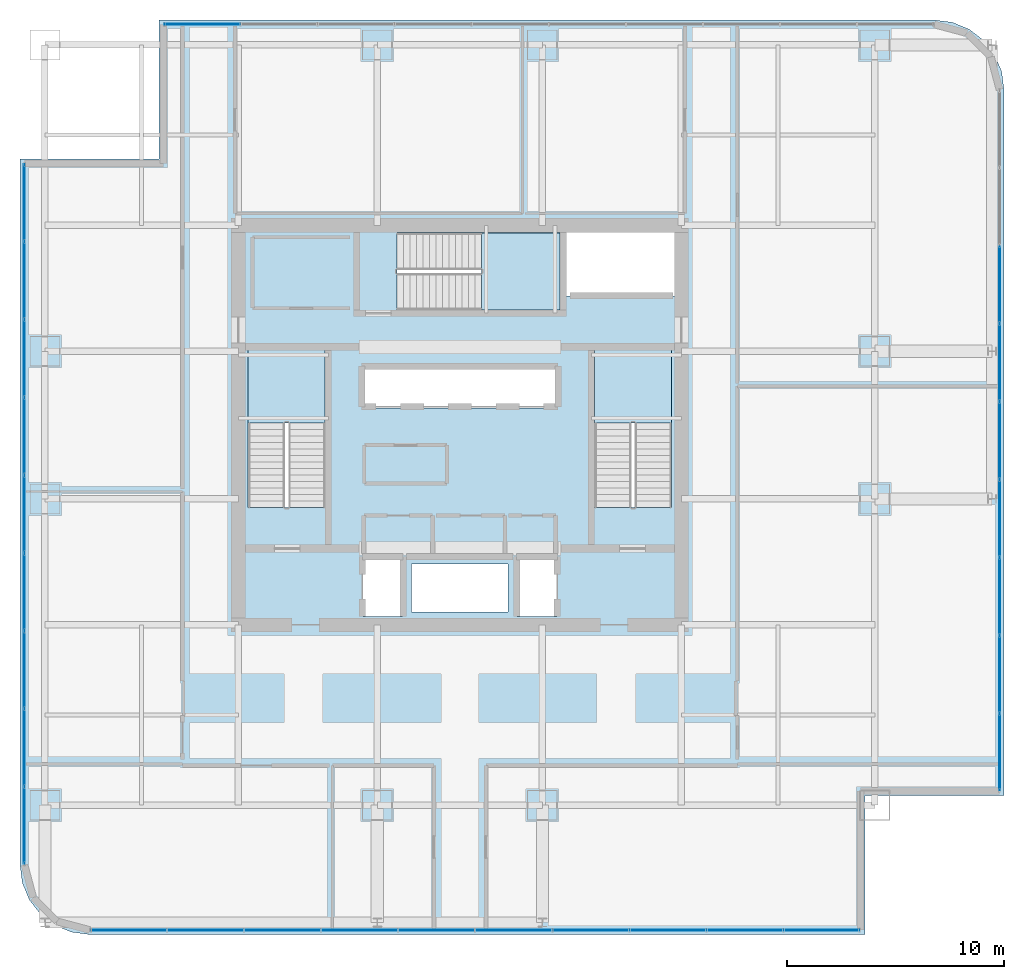
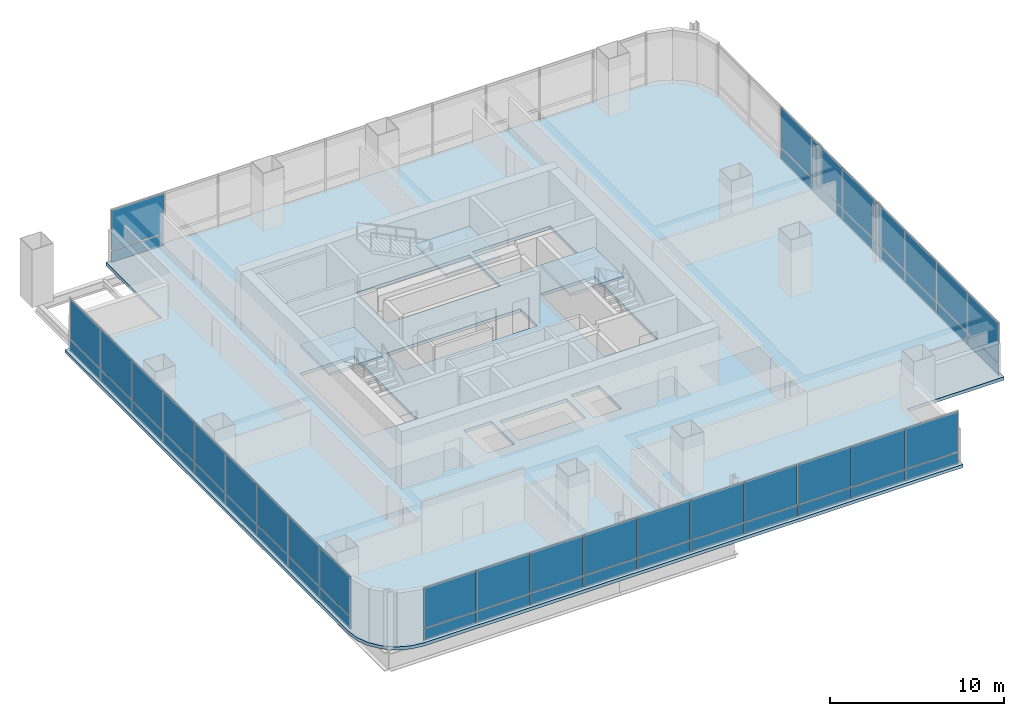
# One storey, part 28 of 35: 54 plates, 4 slabs, 7 elements without a shape of their own.
"""IFC4 building model written with IfcOpenShell, lengths in metres."""

from ifc_helpers import new_model, si_unit, direction, frame, origin, origin_2d, place, context, subcontext, project, spatial, polyline, rectangle, outline, extrude, material, layer, layer_set, type_object, element, aggregate, save


model = new_model("IFC4")

# Units and contexts
model_context = context("Model", 3, precision=1e-05, world=origin(), true_north=direction((0.0, 1.0)))
body_context = subcontext(model_context, "Body", "Model", "MODEL_VIEW")
ifc_project = project(units=[si_unit("LENGTHUNIT", "METRE"), si_unit("AREAUNIT", "SQUARE_METRE"), si_unit("VOLUMEUNIT", "CUBIC_METRE"), si_unit("PLANEANGLEUNIT", "RADIAN"), si_unit("MASSUNIT", "GRAM", prefix="KILO")], contexts=[model_context])

# Site, building, storey
site_placement = place(None, origin())
site = spatial("IfcSite", under=ifc_project, at=site_placement, CompositionType="ELEMENT")
building_placement = place(site_placement, origin())
building = spatial("IfcBuilding", under=site, at=building_placement, Name="Punatoya Terracotta Tower", CompositionType="ELEMENT")
storey_placement = place(building_placement, frame((0.0, 0.0, 232.949951171875)))
storey = spatial("IfcBuildingStorey", under=building, at=storey_placement, Name="L55", CompositionType="ELEMENT", Elevation=232.949951171875)

# Curtain wall, plates
ifc_material_1 = material(Name="Aluminium 6063-T6 + Double Low-E Glass", Category="aluminium")
curtain_wall_type = type_object("IfcCurtainWallType", Name="CW-M2", PredefinedType="NOTDEFINED", material=ifc_material_1)
curtain_wall_1_placement = place(storey_placement, origin())
curtain_wall_1 = element("IfcCurtainWall", 1, at=curtain_wall_1_placement, inside=storey, type_object=curtain_wall_type, Name="L55 Curtain Wall CW-L55-S01-1", PredefinedType="NOTDEFINED")
ifc_material_2 = material(Name="Double Low-E Acoustic Vision Glass", Category="glass")
ifc_layer_1 = layer(ifc_material_2, 0.031982421875)
ifc_layer_set_1 = layer_set([ifc_layer_1], Name="Double Low-E Acoustic Vision Glass")
plate_type_1 = type_object("IfcPlateType", Name="PLT-GLZ-32", PredefinedType="CURTAIN_PANEL", material=ifc_layer_set_1)
plate_1_placement = place(storey_placement, frame((-15.2626953125, -23.25, 0.89013671875), z_axis=(0.0, 0.0, 1.0), x_axis=(1.0, 0.0, 0.0)))
plate_1 = element("IfcPlate", 2, at=plate_1_placement, type_object=plate_type_1, Name="CW-L55-S01-1 Vision Glass Panel 1", PredefinedType="CURTAIN_PANEL", context=body_context, shape_type="SweptSolid", body=[
    extrude(rectangle(XDim=3.463623046875, YDim=0.031982421875, at=origin_2d()), origin(), (0.0, 0.0, 1.0), 2.800048828125),
])
plate_2_placement = place(storey_placement, frame((-11.7138671875, -23.25, 0.89013671875), z_axis=(0.0, 0.0, 1.0), x_axis=(1.0, 0.0, 0.0)))
plate_2 = element("IfcPlate", 3, at=plate_2_placement, type_object=plate_type_1, Name="CW-L55-S01-1 Vision Glass Panel 2", PredefinedType="CURTAIN_PANEL", context=body_context, shape_type="SweptSolid", body=[
    extrude(rectangle(XDim=3.463623046875, YDim=0.031982421875, at=origin_2d()), origin(), (0.0, 0.0, 1.0), 2.800048828125),
])
plate_3_placement = place(storey_placement, frame((-8.165283203125, -23.25, 0.89013671875), z_axis=(0.0, 0.0, 1.0), x_axis=(1.0, 0.0, 0.0)))
plate_3 = element("IfcPlate", 4, at=plate_3_placement, type_object=plate_type_1, Name="CW-L55-S01-1 Vision Glass Panel 3", PredefinedType="CURTAIN_PANEL", context=body_context, shape_type="SweptSolid", body=[
    extrude(rectangle(XDim=3.463623046875, YDim=0.031982421875, at=origin_2d()), origin(), (0.0, 0.0, 1.0), 2.800048828125),
])
plate_4_placement = place(storey_placement, frame((-4.616455078125, -23.25, 0.89013671875), z_axis=(0.0, 0.0, 1.0), x_axis=(1.0, 0.0, 0.0)))
plate_4 = element("IfcPlate", 5, at=plate_4_placement, type_object=plate_type_1, Name="CW-L55-S01-1 Vision Glass Panel 4", PredefinedType="CURTAIN_PANEL", context=body_context, shape_type="SweptSolid", body=[
    extrude(rectangle(XDim=3.463623046875, YDim=0.031982421875, at=origin_2d()), origin(), (0.0, 0.0, 1.0), 2.800048828125),
])
plate_5_placement = place(storey_placement, frame((-1.06787109375, -23.25, 0.89013671875), z_axis=(0.0, 0.0, 1.0), x_axis=(1.0, 0.0, 0.0)))
plate_5 = element("IfcPlate", 6, at=plate_5_placement, type_object=plate_type_1, Name="CW-L55-S01-1 Vision Glass Panel 5", PredefinedType="CURTAIN_PANEL", context=body_context, shape_type="SweptSolid", body=[
    extrude(rectangle(XDim=3.463623046875, YDim=0.031982421875, at=origin_2d()), origin(), (0.0, 0.0, 1.0), 2.800048828125),
])
plate_6_placement = place(storey_placement, frame((2.48095703125, -23.25, 0.89013671875), z_axis=(0.0, 0.0, 1.0), x_axis=(1.0, 0.0, 0.0)))
plate_6 = element("IfcPlate", 7, at=plate_6_placement, type_object=plate_type_1, Name="CW-L55-S01-1 Vision Glass Panel 6", PredefinedType="CURTAIN_PANEL", context=body_context, shape_type="SweptSolid", body=[
    extrude(rectangle(XDim=3.463623046875, YDim=0.031982421875, at=origin_2d()), origin(), (0.0, 0.0, 1.0), 2.800048828125),
])
plate_7_placement = place(storey_placement, frame((6.029541015625, -23.25, 0.89013671875), z_axis=(0.0, 0.0, 1.0), x_axis=(1.0, 0.0, 0.0)))
plate_7 = element("IfcPlate", 8, at=plate_7_placement, type_object=plate_type_1, Name="CW-L55-S01-1 Vision Glass Panel 7", PredefinedType="CURTAIN_PANEL", context=body_context, shape_type="SweptSolid", body=[
    extrude(rectangle(XDim=3.463623046875, YDim=0.031982421875, at=origin_2d()), origin(), (0.0, 0.0, 1.0), 2.800048828125),
])
plate_8_placement = place(storey_placement, frame((9.578369140625, -23.25, 0.89013671875), z_axis=(0.0, 0.0, 1.0), x_axis=(1.0, 0.0, 0.0)))
plate_8 = element("IfcPlate", 9, at=plate_8_placement, type_object=plate_type_1, Name="CW-L55-S01-1 Vision Glass Panel 8", PredefinedType="CURTAIN_PANEL", context=body_context, shape_type="SweptSolid", body=[
    extrude(rectangle(XDim=3.463623046875, YDim=0.031982421875, at=origin_2d()), origin(), (0.0, 0.0, 1.0), 2.800048828125),
])
plate_9_placement = place(storey_placement, frame((13.126953125, -23.25, 0.89013671875), z_axis=(0.0, 0.0, 1.0), x_axis=(1.0, 0.0, 0.0)))
plate_9 = element("IfcPlate", 10, at=plate_9_placement, type_object=plate_type_1, Name="CW-L55-S01-1 Vision Glass Panel 9", PredefinedType="CURTAIN_PANEL", context=body_context, shape_type="SweptSolid", body=[
    extrude(rectangle(XDim=3.463623046875, YDim=0.031982421875, at=origin_2d()), origin(), (0.0, 0.0, 1.0), 2.800048828125),
])
plate_10_placement = place(storey_placement, frame((16.67578125, -23.25, 0.89013671875), z_axis=(0.0, 0.0, 1.0), x_axis=(1.0, 0.0, 0.0)))
plate_10 = element("IfcPlate", 11, at=plate_10_placement, type_object=plate_type_1, Name="CW-L55-S01-1 Vision Glass Panel 10", PredefinedType="CURTAIN_PANEL", context=body_context, shape_type="SweptSolid", body=[
    extrude(rectangle(XDim=3.463623046875, YDim=0.031982421875, at=origin_2d()), origin(), (0.0, 0.0, 1.0), 2.800048828125),
])

curtain_wall_2_placement = place(storey_placement, origin())
curtain_wall_2 = element("IfcCurtainWall", 12, at=curtain_wall_2_placement, inside=storey, type_object=curtain_wall_type, Name="L55 Curtain Wall CW-L55-E04-1", PredefinedType="NOTDEFINED")
plate_11_placement = place(storey_placement, frame((24.85009765625, -15.056396484375, 0.89013671875), z_axis=(0.0, 0.0, 1.0), x_axis=(0.0, 1.0, 0.0)))
plate_11 = element("IfcPlate", 13, at=plate_11_placement, type_object=plate_type_1, Name="CW-L55-E04-1 Vision Glass Panel 1", PredefinedType="CURTAIN_PANEL", context=body_context, shape_type="SweptSolid", body=[
    extrude(rectangle(XDim=3.50244140625, YDim=0.031982421875, at=origin_2d()), origin(), (0.0, 0.0, 1.0), 2.800048828125),
])
plate_12_placement = place(storey_placement, frame((24.85009765625, -11.468994140625, 0.89013671875), z_axis=(0.0, 0.0, 1.0), x_axis=(0.0, 1.0, 0.0)))
plate_12 = element("IfcPlate", 14, at=plate_12_placement, type_object=plate_type_1, Name="CW-L55-E04-1 Vision Glass Panel 2", PredefinedType="CURTAIN_PANEL", context=body_context, shape_type="SweptSolid", body=[
    extrude(rectangle(XDim=3.50244140625, YDim=0.031982421875, at=origin_2d()), origin(), (0.0, 0.0, 1.0), 2.800048828125),
])
plate_13_placement = place(storey_placement, frame((24.85009765625, -7.88134765625, 0.89013671875), z_axis=(0.0, 0.0, 1.0), x_axis=(0.0, 1.0, 0.0)))
plate_13 = element("IfcPlate", 15, at=plate_13_placement, type_object=plate_type_1, Name="CW-L55-E04-1 Vision Glass Panel 3", PredefinedType="CURTAIN_PANEL", context=body_context, shape_type="SweptSolid", body=[
    extrude(rectangle(XDim=3.50244140625, YDim=0.031982421875, at=origin_2d()), origin(), (0.0, 0.0, 1.0), 2.800048828125),
])
plate_14_placement = place(storey_placement, frame((24.85009765625, -4.2939453125, 0.89013671875), z_axis=(0.0, 0.0, 1.0), x_axis=(0.0, 1.0, 0.0)))
plate_14 = element("IfcPlate", 16, at=plate_14_placement, type_object=plate_type_1, Name="CW-L55-E04-1 Vision Glass Panel 4", PredefinedType="CURTAIN_PANEL", context=body_context, shape_type="SweptSolid", body=[
    extrude(rectangle(XDim=3.50244140625, YDim=0.031982421875, at=origin_2d()), origin(), (0.0, 0.0, 1.0), 2.800048828125),
])
plate_15_placement = place(storey_placement, frame((24.85009765625, -0.70654296875, 0.89013671875), z_axis=(0.0, 0.0, 1.0), x_axis=(0.0, 1.0, 0.0)))
plate_15 = element("IfcPlate", 17, at=plate_15_placement, type_object=plate_type_1, Name="CW-L55-E04-1 Vision Glass Panel 5", PredefinedType="CURTAIN_PANEL", context=body_context, shape_type="SweptSolid", body=[
    extrude(rectangle(XDim=3.50244140625, YDim=0.031982421875, at=origin_2d()), origin(), (0.0, 0.0, 1.0), 2.800048828125),
])
plate_16_placement = place(storey_placement, frame((24.85009765625, 2.880859375, 0.89013671875), z_axis=(0.0, 0.0, 1.0), x_axis=(0.0, 1.0, 0.0)))
plate_16 = element("IfcPlate", 18, at=plate_16_placement, type_object=plate_type_1, Name="CW-L55-E04-1 Vision Glass Panel 6", PredefinedType="CURTAIN_PANEL", context=body_context, shape_type="SweptSolid", body=[
    extrude(rectangle(XDim=3.50244140625, YDim=0.031982421875, at=origin_2d()), origin(), (0.0, 0.0, 1.0), 2.800048828125),
])
plate_17_placement = place(storey_placement, frame((24.85009765625, 6.46826171875, 0.89013671875), z_axis=(0.0, 0.0, 1.0), x_axis=(0.0, 1.0, 0.0)))
plate_17 = element("IfcPlate", 19, at=plate_17_placement, type_object=plate_type_1, Name="CW-L55-E04-1 Vision Glass Panel 7", PredefinedType="CURTAIN_PANEL", context=body_context, shape_type="SweptSolid", body=[
    extrude(rectangle(XDim=3.50244140625, YDim=0.031982421875, at=origin_2d()), origin(), (0.0, 0.0, 1.0), 2.800048828125),
])

# Curtain wall, plate
curtain_wall_3_placement = place(storey_placement, origin())
curtain_wall_3 = element("IfcCurtainWall", 20, at=curtain_wall_3_placement, inside=storey, type_object=curtain_wall_type, Name="L55 Curtain Wall CW-L55-N08-1", PredefinedType="NOTDEFINED")
plate_18_placement = place(storey_placement, frame((-11.875732421875, 18.449951171875, 0.89013671875), z_axis=(0.0, 0.0, 1.0), x_axis=(-1.0, 0.0, 0.0)))
plate_18 = element("IfcPlate", 21, at=plate_18_placement, type_object=plate_type_1, Name="CW-L55-N08-1 Vision Glass Panel 10", PredefinedType="CURTAIN_PANEL", context=body_context, shape_type="SweptSolid", body=[
    extrude(rectangle(XDim=3.463623046875, YDim=0.031982421875, at=origin_2d()), origin(), (0.0, 0.0, 1.0), 2.800048828125),
])

# Curtain wall, plates
curtain_wall_4_placement = place(storey_placement, origin())
curtain_wall_4 = element("IfcCurtainWall", 22, at=curtain_wall_4_placement, inside=storey, type_object=curtain_wall_type, Name="L55 Curtain Wall CW-L55-W11-1", PredefinedType="NOTDEFINED")
plate_19_placement = place(storey_placement, frame((-20.050048828125, 10.25634765625, 0.89013671875), z_axis=(0.0, 0.0, 1.0), x_axis=(0.0, -1.0, 0.0)))
plate_19 = element("IfcPlate", 23, at=plate_19_placement, type_object=plate_type_1, Name="CW-L55-W11-1 Vision Glass Panel 1", PredefinedType="CURTAIN_PANEL", context=body_context, shape_type="SweptSolid", body=[
    extrude(rectangle(XDim=3.50244140625, YDim=0.031982421875, at=origin_2d()), origin(), (0.0, 0.0, 1.0), 2.800048828125),
])
plate_20_placement = place(storey_placement, frame((-20.050048828125, 6.6689453125, 0.89013671875), z_axis=(0.0, 0.0, 1.0), x_axis=(0.0, -1.0, 0.0)))
plate_20 = element("IfcPlate", 24, at=plate_20_placement, type_object=plate_type_1, Name="CW-L55-W11-1 Vision Glass Panel 2", PredefinedType="CURTAIN_PANEL", context=body_context, shape_type="SweptSolid", body=[
    extrude(rectangle(XDim=3.50244140625, YDim=0.031982421875, at=origin_2d()), origin(), (0.0, 0.0, 1.0), 2.800048828125),
])
plate_21_placement = place(storey_placement, frame((-20.050048828125, 3.081298828125, 0.89013671875), z_axis=(0.0, 0.0, 1.0), x_axis=(0.0, -1.0, 0.0)))
plate_21 = element("IfcPlate", 25, at=plate_21_placement, type_object=plate_type_1, Name="CW-L55-W11-1 Vision Glass Panel 3", PredefinedType="CURTAIN_PANEL", context=body_context, shape_type="SweptSolid", body=[
    extrude(rectangle(XDim=3.50244140625, YDim=0.031982421875, at=origin_2d()), origin(), (0.0, 0.0, 1.0), 2.800048828125),
])
plate_22_placement = place(storey_placement, frame((-20.050048828125, -0.506103515625, 0.89013671875), z_axis=(0.0, 0.0, 1.0), x_axis=(0.0, -1.0, 0.0)))
plate_22 = element("IfcPlate", 26, at=plate_22_placement, type_object=plate_type_1, Name="CW-L55-W11-1 Vision Glass Panel 4", PredefinedType="CURTAIN_PANEL", context=body_context, shape_type="SweptSolid", body=[
    extrude(rectangle(XDim=3.50244140625, YDim=0.031982421875, at=origin_2d()), origin(), (0.0, 0.0, 1.0), 2.800048828125),
])
plate_23_placement = place(storey_placement, frame((-20.050048828125, -4.093505859375, 0.89013671875), z_axis=(0.0, 0.0, 1.0), x_axis=(0.0, -1.0, 0.0)))
plate_23 = element("IfcPlate", 27, at=plate_23_placement, type_object=plate_type_1, Name="CW-L55-W11-1 Vision Glass Panel 5", PredefinedType="CURTAIN_PANEL", context=body_context, shape_type="SweptSolid", body=[
    extrude(rectangle(XDim=3.50244140625, YDim=0.031982421875, at=origin_2d()), origin(), (0.0, 0.0, 1.0), 2.800048828125),
])
plate_24_placement = place(storey_placement, frame((-20.050048828125, -7.680908203125, 0.89013671875), z_axis=(0.0, 0.0, 1.0), x_axis=(0.0, -1.0, 0.0)))
plate_24 = element("IfcPlate", 28, at=plate_24_placement, type_object=plate_type_1, Name="CW-L55-W11-1 Vision Glass Panel 6", PredefinedType="CURTAIN_PANEL", context=body_context, shape_type="SweptSolid", body=[
    extrude(rectangle(XDim=3.50244140625, YDim=0.031982421875, at=origin_2d()), origin(), (0.0, 0.0, 1.0), 2.800048828125),
])
plate_25_placement = place(storey_placement, frame((-20.050048828125, -11.268310546875, 0.89013671875), z_axis=(0.0, 0.0, 1.0), x_axis=(0.0, -1.0, 0.0)))
plate_25 = element("IfcPlate", 29, at=plate_25_placement, type_object=plate_type_1, Name="CW-L55-W11-1 Vision Glass Panel 7", PredefinedType="CURTAIN_PANEL", context=body_context, shape_type="SweptSolid", body=[
    extrude(rectangle(XDim=3.50244140625, YDim=0.031982421875, at=origin_2d()), origin(), (0.0, 0.0, 1.0), 2.800048828125),
])
plate_26_placement = place(storey_placement, frame((-20.050048828125, -14.855712890625, 0.89013671875), z_axis=(0.0, 0.0, 1.0), x_axis=(0.0, -1.0, 0.0)))
plate_26 = element("IfcPlate", 30, at=plate_26_placement, type_object=plate_type_1, Name="CW-L55-W11-1 Vision Glass Panel 8", PredefinedType="CURTAIN_PANEL", context=body_context, shape_type="SweptSolid", body=[
    extrude(rectangle(XDim=3.50244140625, YDim=0.031982421875, at=origin_2d()), origin(), (0.0, 0.0, 1.0), 2.800048828125),
])
plate_27_placement = place(storey_placement, frame((-20.050048828125, -18.443115234375, 0.89013671875), z_axis=(0.0, 0.0, 1.0), x_axis=(0.0, -1.0, 0.0)))
plate_27 = element("IfcPlate", 31, at=plate_27_placement, type_object=plate_type_1, Name="CW-L55-W11-1 Vision Glass Panel 9", PredefinedType="CURTAIN_PANEL", context=body_context, shape_type="SweptSolid", body=[
    extrude(rectangle(XDim=3.50244140625, YDim=0.031982421875, at=origin_2d()), origin(), (0.0, 0.0, 1.0), 2.800048828125),
])

# Plate
ifc_material_3 = material(Name="Insulated Terracotta-Backed Spandrel Panel", Category="masonry")
ifc_layer_2 = layer(ifc_material_3, 0.044921875)
ifc_layer_set_2 = layer_set([ifc_layer_2], Name="Insulated Terracotta-Backed Spandrel Panel")
plate_type_2 = type_object("IfcPlateType", Name="PLT-SPN-45", PredefinedType="CURTAIN_PANEL", material=ifc_layer_set_2)
plate_28_placement = place(storey_placement, frame((-15.2626953125, -23.25, 0.0400390625), z_axis=(0.0, 0.0, 1.0), x_axis=(1.0, 0.0, 0.0)))
plate_28 = element("IfcPlate", 32, at=plate_28_placement, type_object=plate_type_2, Name="CW-L55-S01-1 Terracotta Spandrel Panel 1", PredefinedType="CURTAIN_PANEL", context=body_context, shape_type="SweptSolid", body=[
    extrude(rectangle(XDim=3.463623046875, YDim=0.044921875, at=origin_2d()), origin(), (0.0, 0.0, 1.0), 0.77490234375),
])

plate_29_placement = place(storey_placement, frame((-11.7138671875, -23.25, 0.0400390625), z_axis=(0.0, 0.0, 1.0), x_axis=(1.0, 0.0, 0.0)))
plate_29 = element("IfcPlate", 33, at=plate_29_placement, type_object=plate_type_2, Name="CW-L55-S01-1 Terracotta Spandrel Panel 2", PredefinedType="CURTAIN_PANEL", context=body_context, shape_type="SweptSolid", body=[
    extrude(rectangle(XDim=3.463623046875, YDim=0.044921875, at=origin_2d()), origin(), (0.0, 0.0, 1.0), 0.77490234375),
])

plate_30_placement = place(storey_placement, frame((-8.165283203125, -23.25, 0.0400390625), z_axis=(0.0, 0.0, 1.0), x_axis=(1.0, 0.0, 0.0)))
plate_30 = element("IfcPlate", 34, at=plate_30_placement, type_object=plate_type_2, Name="CW-L55-S01-1 Terracotta Spandrel Panel 3", PredefinedType="CURTAIN_PANEL", context=body_context, shape_type="SweptSolid", body=[
    extrude(rectangle(XDim=3.463623046875, YDim=0.044921875, at=origin_2d()), origin(), (0.0, 0.0, 1.0), 0.77490234375),
])

plate_31_placement = place(storey_placement, frame((-4.616455078125, -23.25, 0.0400390625), z_axis=(0.0, 0.0, 1.0), x_axis=(1.0, 0.0, 0.0)))
plate_31 = element("IfcPlate", 35, at=plate_31_placement, type_object=plate_type_2, Name="CW-L55-S01-1 Terracotta Spandrel Panel 4", PredefinedType="CURTAIN_PANEL", context=body_context, shape_type="SweptSolid", body=[
    extrude(rectangle(XDim=3.463623046875, YDim=0.044921875, at=origin_2d()), origin(), (0.0, 0.0, 1.0), 0.77490234375),
])

plate_32_placement = place(storey_placement, frame((-1.06787109375, -23.25, 0.0400390625), z_axis=(0.0, 0.0, 1.0), x_axis=(1.0, 0.0, 0.0)))
plate_32 = element("IfcPlate", 36, at=plate_32_placement, type_object=plate_type_2, Name="CW-L55-S01-1 Terracotta Spandrel Panel 5", PredefinedType="CURTAIN_PANEL", context=body_context, shape_type="SweptSolid", body=[
    extrude(rectangle(XDim=3.463623046875, YDim=0.044921875, at=origin_2d()), origin(), (0.0, 0.0, 1.0), 0.77490234375),
])

plate_33_placement = place(storey_placement, frame((2.48095703125, -23.25, 0.0400390625), z_axis=(0.0, 0.0, 1.0), x_axis=(1.0, 0.0, 0.0)))
plate_33 = element("IfcPlate", 37, at=plate_33_placement, type_object=plate_type_2, Name="CW-L55-S01-1 Terracotta Spandrel Panel 6", PredefinedType="CURTAIN_PANEL", context=body_context, shape_type="SweptSolid", body=[
    extrude(rectangle(XDim=3.463623046875, YDim=0.044921875, at=origin_2d()), origin(), (0.0, 0.0, 1.0), 0.77490234375),
])

plate_34_placement = place(storey_placement, frame((6.029541015625, -23.25, 0.0400390625), z_axis=(0.0, 0.0, 1.0), x_axis=(1.0, 0.0, 0.0)))
plate_34 = element("IfcPlate", 38, at=plate_34_placement, type_object=plate_type_2, Name="CW-L55-S01-1 Terracotta Spandrel Panel 7", PredefinedType="CURTAIN_PANEL", context=body_context, shape_type="SweptSolid", body=[
    extrude(rectangle(XDim=3.463623046875, YDim=0.044921875, at=origin_2d()), origin(), (0.0, 0.0, 1.0), 0.77490234375),
])

plate_35_placement = place(storey_placement, frame((9.578369140625, -23.25, 0.0400390625), z_axis=(0.0, 0.0, 1.0), x_axis=(1.0, 0.0, 0.0)))
plate_35 = element("IfcPlate", 39, at=plate_35_placement, type_object=plate_type_2, Name="CW-L55-S01-1 Terracotta Spandrel Panel 8", PredefinedType="CURTAIN_PANEL", context=body_context, shape_type="SweptSolid", body=[
    extrude(rectangle(XDim=3.463623046875, YDim=0.044921875, at=origin_2d()), origin(), (0.0, 0.0, 1.0), 0.77490234375),
])

plate_36_placement = place(storey_placement, frame((13.126953125, -23.25, 0.0400390625), z_axis=(0.0, 0.0, 1.0), x_axis=(1.0, 0.0, 0.0)))
plate_36 = element("IfcPlate", 40, at=plate_36_placement, type_object=plate_type_2, Name="CW-L55-S01-1 Terracotta Spandrel Panel 9", PredefinedType="CURTAIN_PANEL", context=body_context, shape_type="SweptSolid", body=[
    extrude(rectangle(XDim=3.463623046875, YDim=0.044921875, at=origin_2d()), origin(), (0.0, 0.0, 1.0), 0.77490234375),
])

plate_37_placement = place(storey_placement, frame((16.67578125, -23.25, 0.0400390625), z_axis=(0.0, 0.0, 1.0), x_axis=(1.0, 0.0, 0.0)))
plate_37 = element("IfcPlate", 41, at=plate_37_placement, type_object=plate_type_2, Name="CW-L55-S01-1 Terracotta Spandrel Panel 10", PredefinedType="CURTAIN_PANEL", context=body_context, shape_type="SweptSolid", body=[
    extrude(rectangle(XDim=3.463623046875, YDim=0.044921875, at=origin_2d()), origin(), (0.0, 0.0, 1.0), 0.77490234375),
])

aggregate(curtain_wall_1, [plate_28, plate_1, plate_29, plate_2, plate_30, plate_3, plate_31, plate_4, plate_32, plate_5, plate_33, plate_6, plate_34, plate_7, plate_35, plate_8, plate_36, plate_9, plate_37, plate_10])

plate_38_placement = place(storey_placement, frame((24.85009765625, -15.056396484375, 0.0400390625), z_axis=(0.0, 0.0, 1.0), x_axis=(0.0, 1.0, 0.0)))
plate_38 = element("IfcPlate", 42, at=plate_38_placement, type_object=plate_type_2, Name="CW-L55-E04-1 Terracotta Spandrel Panel 1", PredefinedType="CURTAIN_PANEL", context=body_context, shape_type="SweptSolid", body=[
    extrude(rectangle(XDim=3.50244140625, YDim=0.044921875, at=origin_2d()), origin(), (0.0, 0.0, 1.0), 0.77490234375),
])

plate_39_placement = place(storey_placement, frame((24.85009765625, -11.468994140625, 0.0400390625), z_axis=(0.0, 0.0, 1.0), x_axis=(0.0, 1.0, 0.0)))
plate_39 = element("IfcPlate", 43, at=plate_39_placement, type_object=plate_type_2, Name="CW-L55-E04-1 Terracotta Spandrel Panel 2", PredefinedType="CURTAIN_PANEL", context=body_context, shape_type="SweptSolid", body=[
    extrude(rectangle(XDim=3.50244140625, YDim=0.044921875, at=origin_2d()), origin(), (0.0, 0.0, 1.0), 0.77490234375),
])

plate_40_placement = place(storey_placement, frame((24.85009765625, -7.88134765625, 0.0400390625), z_axis=(0.0, 0.0, 1.0), x_axis=(0.0, 1.0, 0.0)))
plate_40 = element("IfcPlate", 44, at=plate_40_placement, type_object=plate_type_2, Name="CW-L55-E04-1 Terracotta Spandrel Panel 3", PredefinedType="CURTAIN_PANEL", context=body_context, shape_type="SweptSolid", body=[
    extrude(rectangle(XDim=3.50244140625, YDim=0.044921875, at=origin_2d()), origin(), (0.0, 0.0, 1.0), 0.77490234375),
])

plate_41_placement = place(storey_placement, frame((24.85009765625, -4.2939453125, 0.0400390625), z_axis=(0.0, 0.0, 1.0), x_axis=(0.0, 1.0, 0.0)))
plate_41 = element("IfcPlate", 45, at=plate_41_placement, type_object=plate_type_2, Name="CW-L55-E04-1 Terracotta Spandrel Panel 4", PredefinedType="CURTAIN_PANEL", context=body_context, shape_type="SweptSolid", body=[
    extrude(rectangle(XDim=3.50244140625, YDim=0.044921875, at=origin_2d()), origin(), (0.0, 0.0, 1.0), 0.77490234375),
])

plate_42_placement = place(storey_placement, frame((24.85009765625, -0.70654296875, 0.0400390625), z_axis=(0.0, 0.0, 1.0), x_axis=(0.0, 1.0, 0.0)))
plate_42 = element("IfcPlate", 46, at=plate_42_placement, type_object=plate_type_2, Name="CW-L55-E04-1 Terracotta Spandrel Panel 5", PredefinedType="CURTAIN_PANEL", context=body_context, shape_type="SweptSolid", body=[
    extrude(rectangle(XDim=3.50244140625, YDim=0.044921875, at=origin_2d()), origin(), (0.0, 0.0, 1.0), 0.77490234375),
])

plate_43_placement = place(storey_placement, frame((24.85009765625, 2.880859375, 0.0400390625), z_axis=(0.0, 0.0, 1.0), x_axis=(0.0, 1.0, 0.0)))
plate_43 = element("IfcPlate", 47, at=plate_43_placement, type_object=plate_type_2, Name="CW-L55-E04-1 Terracotta Spandrel Panel 6", PredefinedType="CURTAIN_PANEL", context=body_context, shape_type="SweptSolid", body=[
    extrude(rectangle(XDim=3.50244140625, YDim=0.044921875, at=origin_2d()), origin(), (0.0, 0.0, 1.0), 0.77490234375),
])

plate_44_placement = place(storey_placement, frame((24.85009765625, 6.46826171875, 0.0400390625), z_axis=(0.0, 0.0, 1.0), x_axis=(0.0, 1.0, 0.0)))
plate_44 = element("IfcPlate", 48, at=plate_44_placement, type_object=plate_type_2, Name="CW-L55-E04-1 Terracotta Spandrel Panel 7", PredefinedType="CURTAIN_PANEL", context=body_context, shape_type="SweptSolid", body=[
    extrude(rectangle(XDim=3.50244140625, YDim=0.044921875, at=origin_2d()), origin(), (0.0, 0.0, 1.0), 0.77490234375),
])

aggregate(curtain_wall_2, [plate_38, plate_11, plate_39, plate_12, plate_40, plate_13, plate_41, plate_14, plate_42, plate_15, plate_43, plate_16, plate_44, plate_17])

plate_45_placement = place(storey_placement, frame((-11.875732421875, 18.449951171875, 0.0400390625), z_axis=(0.0, 0.0, 1.0), x_axis=(-1.0, 0.0, 0.0)))
plate_45 = element("IfcPlate", 49, at=plate_45_placement, type_object=plate_type_2, Name="CW-L55-N08-1 Terracotta Spandrel Panel 10", PredefinedType="CURTAIN_PANEL", context=body_context, shape_type="SweptSolid", body=[
    extrude(rectangle(XDim=3.463623046875, YDim=0.044921875, at=origin_2d()), origin(), (0.0, 0.0, 1.0), 0.77490234375),
])

aggregate(curtain_wall_3, [plate_45, plate_18])

plate_46_placement = place(storey_placement, frame((-20.050048828125, 10.25634765625, 0.0400390625), z_axis=(0.0, 0.0, 1.0), x_axis=(0.0, -1.0, 0.0)))
plate_46 = element("IfcPlate", 50, at=plate_46_placement, type_object=plate_type_2, Name="CW-L55-W11-1 Terracotta Spandrel Panel 1", PredefinedType="CURTAIN_PANEL", context=body_context, shape_type="SweptSolid", body=[
    extrude(rectangle(XDim=3.50244140625, YDim=0.044921875, at=origin_2d()), origin(), (0.0, 0.0, 1.0), 0.77490234375),
])

plate_47_placement = place(storey_placement, frame((-20.050048828125, 6.6689453125, 0.0400390625), z_axis=(0.0, 0.0, 1.0), x_axis=(0.0, -1.0, 0.0)))
plate_47 = element("IfcPlate", 51, at=plate_47_placement, type_object=plate_type_2, Name="CW-L55-W11-1 Terracotta Spandrel Panel 2", PredefinedType="CURTAIN_PANEL", context=body_context, shape_type="SweptSolid", body=[
    extrude(rectangle(XDim=3.50244140625, YDim=0.044921875, at=origin_2d()), origin(), (0.0, 0.0, 1.0), 0.77490234375),
])

plate_48_placement = place(storey_placement, frame((-20.050048828125, 3.081298828125, 0.0400390625), z_axis=(0.0, 0.0, 1.0), x_axis=(0.0, -1.0, 0.0)))
plate_48 = element("IfcPlate", 52, at=plate_48_placement, type_object=plate_type_2, Name="CW-L55-W11-1 Terracotta Spandrel Panel 3", PredefinedType="CURTAIN_PANEL", context=body_context, shape_type="SweptSolid", body=[
    extrude(rectangle(XDim=3.50244140625, YDim=0.044921875, at=origin_2d()), origin(), (0.0, 0.0, 1.0), 0.77490234375),
])

plate_49_placement = place(storey_placement, frame((-20.050048828125, -0.506103515625, 0.0400390625), z_axis=(0.0, 0.0, 1.0), x_axis=(0.0, -1.0, 0.0)))
plate_49 = element("IfcPlate", 53, at=plate_49_placement, type_object=plate_type_2, Name="CW-L55-W11-1 Terracotta Spandrel Panel 4", PredefinedType="CURTAIN_PANEL", context=body_context, shape_type="SweptSolid", body=[
    extrude(rectangle(XDim=3.50244140625, YDim=0.044921875, at=origin_2d()), origin(), (0.0, 0.0, 1.0), 0.77490234375),
])

plate_50_placement = place(storey_placement, frame((-20.050048828125, -4.093505859375, 0.0400390625), z_axis=(0.0, 0.0, 1.0), x_axis=(0.0, -1.0, 0.0)))
plate_50 = element("IfcPlate", 54, at=plate_50_placement, type_object=plate_type_2, Name="CW-L55-W11-1 Terracotta Spandrel Panel 5", PredefinedType="CURTAIN_PANEL", context=body_context, shape_type="SweptSolid", body=[
    extrude(rectangle(XDim=3.50244140625, YDim=0.044921875, at=origin_2d()), origin(), (0.0, 0.0, 1.0), 0.77490234375),
])

plate_51_placement = place(storey_placement, frame((-20.050048828125, -7.680908203125, 0.0400390625), z_axis=(0.0, 0.0, 1.0), x_axis=(0.0, -1.0, 0.0)))
plate_51 = element("IfcPlate", 55, at=plate_51_placement, type_object=plate_type_2, Name="CW-L55-W11-1 Terracotta Spandrel Panel 6", PredefinedType="CURTAIN_PANEL", context=body_context, shape_type="SweptSolid", body=[
    extrude(rectangle(XDim=3.50244140625, YDim=0.044921875, at=origin_2d()), origin(), (0.0, 0.0, 1.0), 0.77490234375),
])

plate_52_placement = place(storey_placement, frame((-20.050048828125, -11.268310546875, 0.0400390625), z_axis=(0.0, 0.0, 1.0), x_axis=(0.0, -1.0, 0.0)))
plate_52 = element("IfcPlate", 56, at=plate_52_placement, type_object=plate_type_2, Name="CW-L55-W11-1 Terracotta Spandrel Panel 7", PredefinedType="CURTAIN_PANEL", context=body_context, shape_type="SweptSolid", body=[
    extrude(rectangle(XDim=3.50244140625, YDim=0.044921875, at=origin_2d()), origin(), (0.0, 0.0, 1.0), 0.77490234375),
])

plate_53_placement = place(storey_placement, frame((-20.050048828125, -14.855712890625, 0.0400390625), z_axis=(0.0, 0.0, 1.0), x_axis=(0.0, -1.0, 0.0)))
plate_53 = element("IfcPlate", 57, at=plate_53_placement, type_object=plate_type_2, Name="CW-L55-W11-1 Terracotta Spandrel Panel 8", PredefinedType="CURTAIN_PANEL", context=body_context, shape_type="SweptSolid", body=[
    extrude(rectangle(XDim=3.50244140625, YDim=0.044921875, at=origin_2d()), origin(), (0.0, 0.0, 1.0), 0.77490234375),
])

plate_54_placement = place(storey_placement, frame((-20.050048828125, -18.443115234375, 0.0400390625), z_axis=(0.0, 0.0, 1.0), x_axis=(0.0, -1.0, 0.0)))
plate_54 = element("IfcPlate", 58, at=plate_54_placement, type_object=plate_type_2, Name="CW-L55-W11-1 Terracotta Spandrel Panel 9", PredefinedType="CURTAIN_PANEL", context=body_context, shape_type="SweptSolid", body=[
    extrude(rectangle(XDim=3.50244140625, YDim=0.044921875, at=origin_2d()), origin(), (0.0, 0.0, 1.0), 0.77490234375),
])

aggregate(curtain_wall_4, [plate_46, plate_19, plate_47, plate_20, plate_48, plate_21, plate_49, plate_22, plate_50, plate_23, plate_51, plate_24, plate_52, plate_25, plate_53, plate_26, plate_54, plate_27])

# Stair, slab
ifc_material_4 = material(Name="Concrete C40/50", Category="concrete")
stair_type_1 = type_object("IfcStairType", Name="STR-TER-1450", PredefinedType="HALF_TURN_STAIR", material=ifc_material_4)
stair_1_placement = place(storey_placement, origin())
stair_1 = element("IfcStair", 59, at=stair_1_placement, inside=storey, type_object=stair_type_1, Name="L55 Protected Core Exit Stair ST-3", PredefinedType="HALF_TURN_STAIR")
ifc_layer_3 = layer(ifc_material_4, 0.1650390625)
ifc_layer_set_3 = layer_set([ifc_layer_3], Name="Concrete C40/50")
slab_type_1 = type_object("IfcSlabType", Name="SLB-LND-165", PredefinedType="LANDING", material=ifc_layer_set_3)
slab_1_placement = place(storey_placement, frame((0.0, 0.0, 1.824951171875)))
slab_1 = element("IfcSlab", 60, at=slab_1_placement, type_object=slab_type_1, Name="ST-3 landing 1", PredefinedType="LANDING", context=body_context, shape_type="SweptSolid", body=[
    extrude(outline(polyline([(1.0, 5.300048828125), (4.60009765625, 5.300048828125), (4.60009765625, 8.85009765625), (1.0, 8.85009765625), (1.0, 5.300048828125)])), origin(), (0.0, 0.0, 1.0), 0.2001953125),
])
aggregate(stair_1, [slab_1])

stair_type_2 = type_object("IfcStairType", Name="STR-CORE-1550", PredefinedType="HALF_TURN_STAIR", material=ifc_material_4)
stair_2_placement = place(storey_placement, origin())
stair_2 = element("IfcStair", 61, at=stair_2_placement, inside=storey, type_object=stair_type_2, Name="L55 Protected Core Exit Stair ST-1", PredefinedType="HALF_TURN_STAIR")
ifc_layer_4 = layer(ifc_material_4, 0.179931640625)
ifc_layer_set_4 = layer_set([ifc_layer_4], Name="Concrete C40/50")
slab_type_2 = type_object("IfcSlabType", Name="SLB-LND-180", PredefinedType="LANDING", material=ifc_layer_set_4)
slab_2_placement = place(storey_placement, frame((0.0, 0.0, 1.824951171875)))
slab_2 = element("IfcSlab", 62, at=slab_2_placement, type_object=slab_type_2, Name="ST-1 landing 1", PredefinedType="LANDING", context=body_context, shape_type="SweptSolid", body=[
    extrude(outline(polyline([(-6.199951171875, 0.10009765625), (-6.199951171875, 3.449951171875), (-9.75, 3.449951171875), (-9.75, 0.10009765625), (-6.199951171875, 0.10009765625)])), origin(), (0.0, 0.0, 1.0), 0.2001953125),
])
aggregate(stair_2, [slab_2])

stair_type_3 = type_object("IfcStairType", Name="STR-LOB-1650", PredefinedType="HALF_TURN_STAIR", material=ifc_material_4)
stair_3_placement = place(storey_placement, origin())
stair_3 = element("IfcStair", 63, at=stair_3_placement, inside=storey, type_object=stair_type_3, Name="L55 Protected Core Exit Stair ST-2", PredefinedType="HALF_TURN_STAIR")
slab_3_placement = place(storey_placement, frame((0.0, 0.0, 1.824951171875)))
slab_3 = element("IfcSlab", 64, at=slab_3_placement, type_object=slab_type_2, Name="ST-2 landing 1", PredefinedType="LANDING", context=body_context, shape_type="SweptSolid", body=[
    extrude(outline(polyline([(9.75, 0.10009765625), (9.75, 3.449951171875), (6.199951171875, 3.449951171875), (6.199951171875, 0.10009765625), (9.75, 0.10009765625)])), origin(), (0.0, 0.0, 1.0), 0.2001953125),
])
aggregate(stair_3, [slab_3])

# Slab
ifc_layer_5 = layer(ifc_material_4, 0.219970703125)
ifc_layer_set_5 = layer_set([ifc_layer_5], Name="Concrete C40/50")
slab_type_3 = type_object("IfcSlabType", Name="SLB-OFF-220", PredefinedType="FLOOR", material=ifc_layer_set_5)
slab_4_placement = place(storey_placement, frame((0.0, 0.0, -0.219970703125)))
element("IfcSlab", 65, at=slab_4_placement, inside=storey, type_object=slab_type_3, Name="L55 Structural Floor Slab", PredefinedType="FLOOR", context=body_context, shape_type="SweptSolid", body=[
    extrude(outline(polyline([(-17.050048828125, -23.449951171875), (-17.878173828125, -23.341064453125), (-18.64990234375, -23.021240234375), (-19.312744140625, -22.5126953125), (-19.8212890625, -21.85009765625), (-20.14111328125, -21.078125), (-20.25, -20.25), (-20.25, 12.25), (-13.85009765625, 12.25), (-13.85009765625, 18.64990234375), (21.85009765625, 18.64990234375), (22.67822265625, 18.541015625), (23.449951171875, 18.22119140625), (24.11279296875, 17.712646484375), (24.621337890625, 17.050048828125), (24.94091796875, 16.2783203125), (25.050048828125, 15.449951171875), (25.050048828125, -17.050048828125), (18.64990234375, -17.050048828125), (18.64990234375, -23.449951171875), (-17.050048828125, -23.449951171875)]), holes=[polyline([(-2.6298828125, -6.179931640625), (-4.469970703125, -6.179931640625), (-4.469970703125, -8.820068359375), (-2.6298828125, -8.820068359375), (-2.6298828125, -6.179931640625)]), polyline([(0.02001953125, -8.594970703125), (2.219970703125, -8.594970703125), (2.219970703125, -6.405029296875), (0.02001953125, -6.405029296875), (-0.02001953125, -6.405029296875), (-2.219970703125, -6.405029296875), (-2.219970703125, -8.594970703125), (-0.02001953125, -8.594970703125), (0.02001953125, -8.594970703125)]), polyline([(-6.199951171875, 3.449951171875), (-9.75, 3.449951171875), (-9.75, -3.79931640625), (-6.199951171875, -3.79931640625), (-6.199951171875, 3.449951171875)]), polyline([(-4.419921875, 2.719970703125), (-4.419921875, 0.780029296875), (-2.219970703125, 0.780029296875), (-2.179931640625, 0.780029296875), (-0.02001953125, 0.780029296875), (0.02001953125, 0.780029296875), (2.179931640625, 0.780029296875), (2.219970703125, 0.780029296875), (4.419921875, 0.780029296875), (4.419921875, 2.719970703125), (2.219970703125, 2.719970703125), (2.179931640625, 2.719970703125), (0.02001953125, 2.719970703125), (-0.02001953125, 2.719970703125), (-2.179931640625, 2.719970703125), (-2.219970703125, 2.719970703125), (-4.419921875, 2.719970703125)]), polyline([(4.60009765625, 5.300048828125), (4.60009765625, 8.85009765625), (-2.899169921875, 8.85009765625), (-2.899169921875, 5.300048828125), (4.60009765625, 5.300048828125)]), polyline([(4.469970703125, -8.820068359375), (4.469970703125, -6.179931640625), (2.6298828125, -6.179931640625), (2.6298828125, -8.820068359375), (4.469970703125, -8.820068359375)]), polyline([(9.75, 3.449951171875), (6.199951171875, 3.449951171875), (6.199951171875, -3.79931640625), (9.75, -3.79931640625), (9.75, 3.449951171875)]), polyline([(10.050048828125, 5.949951171875), (10.050048828125, 9.050048828125), (4.89990234375, 9.050048828125), (4.89990234375, 5.949951171875), (10.050048828125, 5.949951171875)])]), origin(), (0.0, 0.0, 1.0), 0.219970703125),
])

save(model, "model.ifc")
